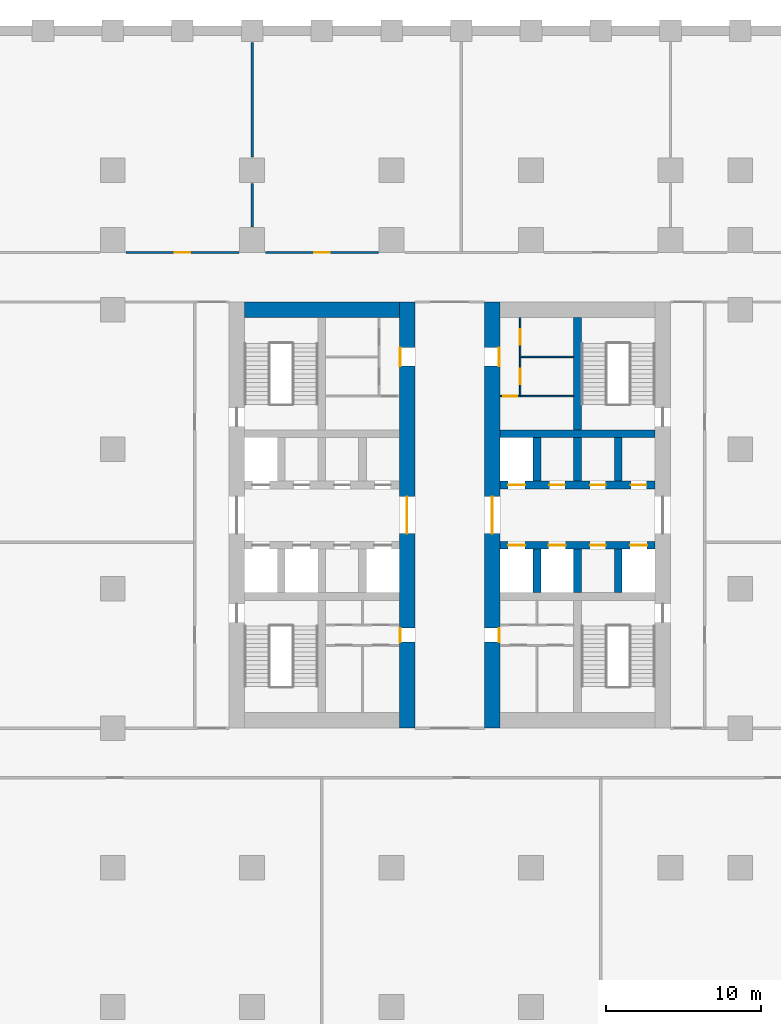
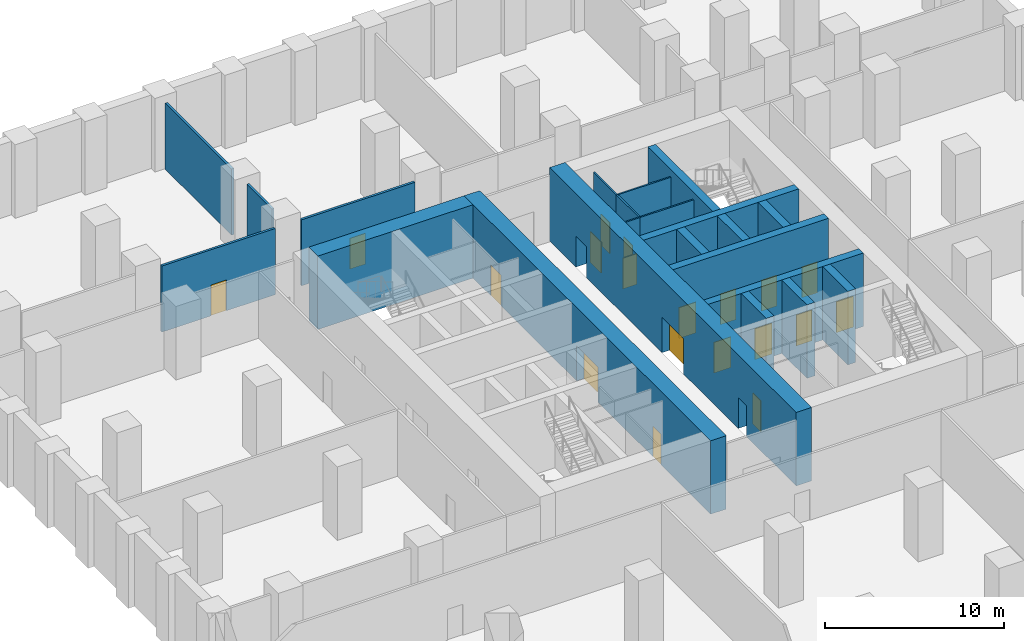
# One storey, part 4 of 7: 22 walls, 19 doors, 19 openings.
"""IFC4 building model written with IfcOpenShell, lengths in metres."""

from ifc_helpers import new_model, si_unit, direction, frame, frame_2d, origin, place, context, subcontext, project, spatial, rectangle, extrude, material, layer, layer_set, type_object, element, fill, save


model = new_model("IFC4")

# Units and contexts
model_context = context("Model", 3, precision=1e-05, world=origin(), true_north=direction((0.0, 1.0)))
body_context = subcontext(model_context, "Body", "Model", "MODEL_VIEW")
ifc_project = project(units=[si_unit("LENGTHUNIT", "METRE"), si_unit("AREAUNIT", "SQUARE_METRE"), si_unit("VOLUMEUNIT", "CUBIC_METRE"), si_unit("PLANEANGLEUNIT", "RADIAN"), si_unit("MASSUNIT", "GRAM", prefix="KILO")], contexts=[model_context])

# Site, building, storey
site_placement = place(None, origin())
site = spatial("IfcSite", under=ifc_project, at=site_placement, CompositionType="ELEMENT")
building_placement = place(site_placement, origin())
building = spatial("IfcBuilding", under=site, at=building_placement, Name="Corbel Stack Research Tower", CompositionType="ELEMENT")
storey_placement = place(building_placement, frame((0.0, 0.0, -5.0)))
storey = spatial("IfcBuildingStorey", under=building, at=storey_placement, Name="B1", CompositionType="ELEMENT", Elevation=-5.0)

# Wall, opening, door
ifc_material_1 = material(Name="Concrete block", Category="concrete")
ifc_layer_1 = layer(ifc_material_1, 0.14990234375)
ifc_layer_set_1 = layer_set([ifc_layer_1], Name="Concrete block")
wall_type_1 = type_object("IfcWallType", Name="Base partition 150 B1", PredefinedType="PARTITIONING", material=ifc_layer_set_1)
wall_1_placement = place(storey_placement, frame((-17.14990234375, 21.699951171875, 0.0), z_axis=(0.0, 0.0, 1.0), x_axis=(1.0, 0.0, 0.0)))
wall_1 = element("IfcWall", 1, at=wall_1_placement, inside=storey, type_object=wall_type_1, Name="Partition B1", PredefinedType="PARTITIONING", context=body_context, shape_type="SweptSolid", body=[
    extrude(rectangle(XDim=7.2998046875, YDim=0.14990234375, at=frame_2d((3.64990234375, 0.0))), origin(), (0.0, 0.0, 1.0), 4.5),
])
opening_1_placement = place(wall_1_placement, frame((3.14990234375, 0.0, 0.0)))
opening_1 = element("IfcOpeningElement", 2, at=opening_1_placement, cuts=wall_1, Name="Opening BD-B1-08", PredefinedType="OPENING", context=body_context, shape_type="SweptSolid", body=[
    extrude(rectangle(XDim=1.0, YDim=2.10009765625, at=frame_2d((0.5, 1.050048828125))), frame((0.0, 0.0849609375, 0.0), z_axis=(0.0, -1.0, 0.0), x_axis=(1.0, 0.0, 0.0)), (0.0, 0.0, 1.0), 0.169921875),
])
ifc_material_2 = material(Name="Painted steel door", Category="steel")
door_type_1 = type_object("IfcDoorType", Name="Service door 1000 x 2100 FD60 right hand", OperationType="SINGLE_SWING_RIGHT", PredefinedType="DOOR", material=ifc_material_2)
door_1_placement = place(opening_1_placement, origin())
door_1 = element("IfcDoor", 3, at=door_1_placement, inside=storey, type_object=door_type_1, Name="Workshop door", OperationType="SINGLE_SWING_RIGHT", OverallHeight=2.10009765625, OverallWidth=1.0, PredefinedType="DOOR", context=body_context, shape_type="SweptSolid", body=[
    extrude(rectangle(XDim=1.0, YDim=2.10009765625, at=frame_2d((0.5, 1.050048828125))), frame((0.0, 0.02490234375, 0.0), z_axis=(0.0, -1.0, 0.0), x_axis=(1.0, 0.0, 0.0)), (0.0, 0.0, 1.0), 0.050048828125),
])
fill(opening_1, door_1)

wall_2_placement = place(storey_placement, frame((-8.14990234375, 21.699951171875, 0.0), z_axis=(0.0, 0.0, 1.0), x_axis=(1.0, 0.0, 0.0)))
wall_2 = element("IfcWall", 4, at=wall_2_placement, inside=storey, type_object=wall_type_1, Name="Partition B1", PredefinedType="PARTITIONING", context=body_context, shape_type="SweptSolid", body=[
    extrude(rectangle(XDim=7.2998046875, YDim=0.14990234375, at=frame_2d((3.64990234375, 0.0))), origin(), (0.0, 0.0, 1.0), 4.5),
])
opening_2_placement = place(wall_2_placement, frame((3.14990234375, 0.0, 0.0)))
opening_2 = element("IfcOpeningElement", 5, at=opening_2_placement, cuts=wall_2, Name="Opening BD-B1-09", PredefinedType="OPENING", context=body_context, shape_type="SweptSolid", body=[
    extrude(rectangle(XDim=1.0, YDim=2.10009765625, at=frame_2d((0.5, 1.050048828125))), frame((0.0, 0.0849609375, 0.0), z_axis=(0.0, -1.0, 0.0), x_axis=(1.0, 0.0, 0.0)), (0.0, 0.0, 1.0), 0.169921875),
])
ifc_material_3 = material(Name="Painted steel door", Category="steel")
door_type_2 = type_object("IfcDoorType", Name="Service door 1000 x 2100 FD60 left hand", OperationType="SINGLE_SWING_LEFT", PredefinedType="DOOR", material=ifc_material_3)
door_2_placement = place(opening_2_placement, origin())
door_2 = element("IfcDoor", 6, at=door_2_placement, inside=storey, type_object=door_type_2, Name="Chemical waste and recycling store door", OperationType="SINGLE_SWING_LEFT", OverallHeight=2.10009765625, OverallWidth=1.0, PredefinedType="DOOR", context=body_context, shape_type="SweptSolid", body=[
    extrude(rectangle(XDim=1.0, YDim=2.10009765625, at=frame_2d((0.5, 1.050048828125))), frame((0.0, 0.02490234375, 0.0), z_axis=(0.0, -1.0, 0.0), x_axis=(1.0, 0.0, 0.0)), (0.0, 0.0, 1.0), 0.050048828125),
])
fill(opening_2, door_2)

# Walls
wall_3_placement = place(storey_placement, frame((-9.0, 23.35009765625, 0.0), z_axis=(0.0, 0.0, 1.0), x_axis=(0.0, 1.0, 0.0)))
element("IfcWall", 7, at=wall_3_placement, inside=storey, type_object=wall_type_1, Name="Partition B1", PredefinedType="PARTITIONING", context=body_context, shape_type="SweptSolid", body=[
    extrude(rectangle(XDim=2.7998046875, YDim=0.14990234375, at=frame_2d((1.39990234375, 0.0))), origin(), (0.0, 0.0, 1.0), 4.5),
])
wall_4_placement = place(storey_placement, frame((-9.0, 27.85009765625, 0.0), z_axis=(0.0, 0.0, 1.0), x_axis=(0.0, 1.0, 0.0)))
element("IfcWall", 8, at=wall_4_placement, inside=storey, type_object=wall_type_1, Name="Partition B1", PredefinedType="PARTITIONING", context=body_context, shape_type="SweptSolid", body=[
    extrude(rectangle(XDim=7.39990234375, YDim=0.14990234375, at=frame_2d((3.699951171875, 0.0))), origin(), (0.0, 0.0, 1.0), 4.5),
])

# Wall, openings, doors
ifc_material_4 = material(Name="Concrete C70/85", Category="concrete")
ifc_layer_2 = layer(ifc_material_4, 1.0)
ifc_layer_set_2 = layer_set([ifc_layer_2], Name="Concrete C70/85")
wall_type_2 = type_object("IfcWallType", Name="CW-1000-70", PredefinedType="SHEAR", material=ifc_layer_set_2)
wall_5_placement = place(storey_placement, frame((1.0, -9.0, 0.0), z_axis=(0.0, 0.0, 1.0), x_axis=(0.0, 1.0, 0.0)))
wall_5 = element("IfcWall", 9, at=wall_5_placement, inside=storey, type_object=wall_type_2, Name="West core wall, east face B1", PredefinedType="SHEAR", context=body_context, shape_type="SweptSolid", body=[
    extrude(rectangle(XDim=27.5, YDim=1.0, at=frame_2d((13.75, 0.0))), origin(), (0.0, 0.0, 1.0), 5.0),
])
opening_3_placement = place(wall_5_placement, frame((12.550048828125, 0.0, 0.0)))
opening_3 = element("IfcOpeningElement", 10, at=opening_3_placement, cuts=wall_5, Name="Opening CD-W-E", PredefinedType="OPENING", context=body_context, shape_type="SweptSolid", body=[
    extrude(rectangle(XDim=2.39990234375, YDim=2.39990234375, at=frame_2d((1.199951171875, 1.199951171875))), frame((0.0, 0.510009765625, 0.0), z_axis=(0.0, -1.0, 0.0), x_axis=(1.0, 0.0, 0.0)), (0.0, 0.0, 1.0), 1.02001953125),
])
opening_4_placement = place(wall_5_placement, frame((5.550048828125, 0.0, 0.0)))
opening_4 = element("IfcOpeningElement", 11, at=opening_4_placement, cuts=wall_5, Name="Opening CR-W54-W1-905", PredefinedType="OPENING", context=body_context, shape_type="SweptSolid", body=[
    extrude(rectangle(XDim=0.905029296875, YDim=2.10009765625, at=frame_2d((0.45263671875, 1.050048828125))), frame((0.0, 0.510009765625, 0.0), z_axis=(0.0, -1.0, 0.0), x_axis=(1.0, 0.0, 0.0)), (0.0, 0.0, 1.0), 1.02001953125),
])
opening_5_placement = place(wall_5_placement, frame((23.362548828125, 0.0, 0.0)))
opening_5 = element("IfcOpeningElement", 12, at=opening_5_placement, cuts=wall_5, Name="Opening CR-W54-R2-1200", PredefinedType="OPENING", context=body_context, shape_type="SweptSolid", body=[
    extrude(rectangle(XDim=1.199951171875, YDim=2.10009765625, at=frame_2d((0.60009765625, 1.050048828125))), frame((0.0, 0.510009765625, 0.0), z_axis=(0.0, -1.0, 0.0), x_axis=(1.0, 0.0, 0.0)), (0.0, 0.0, 1.0), 1.02001953125),
])
ifc_material_5 = material(Name="Painted steel fire door", Category="steel")
door_type_3 = type_object("IfcDoorType", Name="Lobby door pair 2400 x 2400 FD30S", OperationType="DOUBLE_DOOR_DOUBLE_SWING", PredefinedType="DOOR", material=ifc_material_5)
door_3_placement = place(opening_3_placement, origin())
door_3 = element("IfcDoor", 13, at=door_3_placement, inside=storey, type_object=door_type_3, Name="Lift lobby door W core E", OperationType="DOUBLE_DOOR_DOUBLE_SWING", OverallHeight=2.39990234375, OverallWidth=2.39990234375, PredefinedType="DOOR", context=body_context, shape_type="SweptSolid", body=[
    extrude(rectangle(XDim=2.39990234375, YDim=2.39990234375, at=frame_2d((1.199951171875, 1.199951171875))), frame((0.0, 0.02490234375, 0.0), z_axis=(0.0, -1.0, 0.0), x_axis=(1.0, 0.0, 0.0)), (0.0, 0.0, 1.0), 0.050048828125),
])
fill(opening_3, door_3)
ifc_material_6 = material(Name="Painted steel door", Category="steel")
door_type_4 = type_object("IfcDoorType", Name="Service door 1200 x 2100 FD30 right hand", OperationType="SINGLE_SWING_RIGHT", PredefinedType="DOOR", material=ifc_material_6)
door_4_placement = place(opening_5_placement, origin())
door_4 = element("IfcDoor", 14, at=door_4_placement, inside=storey, type_object=door_type_4, Name="Service passage door W core", OperationType="SINGLE_SWING_RIGHT", OverallHeight=2.10009765625, OverallWidth=1.199951171875, PredefinedType="DOOR", context=body_context, shape_type="SweptSolid", body=[
    extrude(rectangle(XDim=1.199951171875, YDim=2.10009765625, at=frame_2d((0.60009765625, 1.050048828125))), frame((0.0, 0.47509765625, 0.0), z_axis=(0.0, -1.0, 0.0), x_axis=(1.0, 0.0, 0.0)), (0.0, 0.0, 1.0), 0.050048828125),
])
fill(opening_5, door_4)
ifc_material_7 = material(Name="Painted timber door", Category="wood")
door_type_5 = type_object("IfcDoorType", Name="WC door 905 x 2100 left hand", OperationType="SINGLE_SWING_LEFT", PredefinedType="DOOR", material=ifc_material_7)
door_5_placement = place(opening_4_placement, origin())
door_5 = element("IfcDoor", 15, at=door_5_placement, inside=storey, type_object=door_type_5, Name="WC lobby door W core", OperationType="SINGLE_SWING_LEFT", OverallHeight=2.10009765625, OverallWidth=0.905029296875, PredefinedType="DOOR", context=body_context, shape_type="SweptSolid", body=[
    extrude(rectangle(XDim=0.905029296875, YDim=2.10009765625, at=frame_2d((0.45263671875, 1.050048828125))), frame((0.0, 0.47509765625, 0.0), z_axis=(0.0, -1.0, 0.0), x_axis=(1.0, 0.0, 0.0)), (0.0, 0.0, 1.0), 0.050048828125),
])
fill(opening_4, door_5)

# Wall
wall_6_placement = place(storey_placement, frame((-9.5, 18.0, 0.0), z_axis=(0.0, 0.0, 1.0), x_axis=(1.0, 0.0, 0.0)))
element("IfcWall", 16, at=wall_6_placement, inside=storey, type_object=wall_type_2, Name="West core wall, north end B1", PredefinedType="SHEAR", context=body_context, shape_type="SweptSolid", body=[
    extrude(rectangle(XDim=10.0, YDim=1.0, at=frame_2d((5.0, 0.0))), origin(), (0.0, 0.0, 1.0), 5.0),
])

# Wall, openings, doors
wall_7_placement = place(storey_placement, frame((6.5, -9.0, 0.0), z_axis=(0.0, 0.0, 1.0), x_axis=(0.0, 1.0, 0.0)))
wall_7 = element("IfcWall", 17, at=wall_7_placement, inside=storey, type_object=wall_type_2, Name="East core wall, west face B1", PredefinedType="SHEAR", context=body_context, shape_type="SweptSolid", body=[
    extrude(rectangle(XDim=27.5, YDim=1.0, at=frame_2d((13.75, 0.0))), origin(), (0.0, 0.0, 1.0), 5.0),
])
opening_6_placement = place(wall_7_placement, frame((12.550048828125, 0.0, 0.0)))
opening_6 = element("IfcOpeningElement", 18, at=opening_6_placement, cuts=wall_7, Name="Opening CD-E-W", PredefinedType="OPENING", context=body_context, shape_type="SweptSolid", body=[
    extrude(rectangle(XDim=2.39990234375, YDim=2.39990234375, at=frame_2d((1.199951171875, 1.199951171875))), frame((0.0, 0.510009765625, 0.0), z_axis=(0.0, -1.0, 0.0), x_axis=(1.0, 0.0, 0.0)), (0.0, 0.0, 1.0), 1.02001953125),
])
opening_7_placement = place(wall_7_placement, frame((5.550048828125, 0.0, 0.0)))
opening_7 = element("IfcOpeningElement", 19, at=opening_7_placement, cuts=wall_7, Name="Opening CR-E54-W1-905", PredefinedType="OPENING", context=body_context, shape_type="SweptSolid", body=[
    extrude(rectangle(XDim=0.905029296875, YDim=2.10009765625, at=frame_2d((0.45263671875, 1.050048828125))), frame((0.0, 0.510009765625, 0.0), z_axis=(0.0, -1.0, 0.0), x_axis=(1.0, 0.0, 0.0)), (0.0, 0.0, 1.0), 1.02001953125),
])
opening_8_placement = place(wall_7_placement, frame((23.362548828125, 0.0, 0.0)))
opening_8 = element("IfcOpeningElement", 20, at=opening_8_placement, cuts=wall_7, Name="Opening CR-E54-R2-1200", PredefinedType="OPENING", context=body_context, shape_type="SweptSolid", body=[
    extrude(rectangle(XDim=1.199951171875, YDim=2.10009765625, at=frame_2d((0.60009765625, 1.050048828125))), frame((0.0, 0.510009765625, 0.0), z_axis=(0.0, -1.0, 0.0), x_axis=(1.0, 0.0, 0.0)), (0.0, 0.0, 1.0), 1.02001953125),
])
door_6_placement = place(opening_6_placement, origin())
door_6 = element("IfcDoor", 21, at=door_6_placement, inside=storey, type_object=door_type_3, Name="Lift lobby door E core W", OperationType="DOUBLE_DOOR_DOUBLE_SWING", OverallHeight=2.39990234375, OverallWidth=2.39990234375, PredefinedType="DOOR", context=body_context, shape_type="SweptSolid", body=[
    extrude(rectangle(XDim=2.39990234375, YDim=2.39990234375, at=frame_2d((1.199951171875, 1.199951171875))), frame((0.0, 0.02490234375, 0.0), z_axis=(0.0, -1.0, 0.0), x_axis=(1.0, 0.0, 0.0)), (0.0, 0.0, 1.0), 0.050048828125),
])
fill(opening_6, door_6)
ifc_material_8 = material(Name="Painted steel door", Category="steel")
door_type_6 = type_object("IfcDoorType", Name="Service door 1200 x 2100 FD30 left hand", OperationType="SINGLE_SWING_LEFT", PredefinedType="DOOR", material=ifc_material_8)
door_7_placement = place(opening_8_placement, origin())
door_7 = element("IfcDoor", 22, at=door_7_placement, inside=storey, type_object=door_type_6, Name="Service passage door E core", OperationType="SINGLE_SWING_LEFT", OverallHeight=2.10009765625, OverallWidth=1.199951171875, PredefinedType="DOOR", context=body_context, shape_type="SweptSolid", body=[
    extrude(rectangle(XDim=1.199951171875, YDim=2.10009765625, at=frame_2d((0.60009765625, 1.050048828125))), frame((0.0, -0.4248046875, 0.0), z_axis=(0.0, -1.0, 0.0), x_axis=(1.0, 0.0, 0.0)), (0.0, 0.0, 1.0), 0.050048828125),
])
fill(opening_8, door_7)
ifc_material_9 = material(Name="Painted timber door", Category="wood")
door_type_7 = type_object("IfcDoorType", Name="WC door 905 x 2100 right hand", OperationType="SINGLE_SWING_RIGHT", PredefinedType="DOOR", material=ifc_material_9)
door_8_placement = place(opening_7_placement, origin())
door_8 = element("IfcDoor", 23, at=door_8_placement, inside=storey, type_object=door_type_7, Name="WC lobby door E core", OperationType="SINGLE_SWING_RIGHT", OverallHeight=2.10009765625, OverallWidth=0.905029296875, PredefinedType="DOOR", context=body_context, shape_type="SweptSolid", body=[
    extrude(rectangle(XDim=0.905029296875, YDim=2.10009765625, at=frame_2d((0.45263671875, 1.050048828125))), frame((0.0, -0.4248046875, 0.0), z_axis=(0.0, -1.0, 0.0), x_axis=(1.0, 0.0, 0.0)), (0.0, 0.0, 1.0), 0.050048828125),
])
fill(opening_7, door_8)

ifc_material_10 = material(Name="Concrete C70/85", Category="concrete")
ifc_layer_3 = layer(ifc_material_10, 0.5)
ifc_layer_set_3 = layer_set([ifc_layer_3], Name="Concrete C70/85")
wall_type_3 = type_object("IfcWallType", Name="CW-500-70", PredefinedType="SHEAR", material=ifc_layer_set_3)
wall_8_placement = place(storey_placement, frame((7.0, 2.800048828125, 0.0), z_axis=(0.0, 0.0, 1.0), x_axis=(1.0, 0.0, 0.0)))
wall_8 = element("IfcWall", 24, at=wall_8_placement, inside=storey, type_object=wall_type_3, Name="East core wall, lobby south B1", PredefinedType="SHEAR", context=body_context, shape_type="SweptSolid", body=[
    extrude(rectangle(XDim=10.0, YDim=0.5, at=frame_2d((5.0, 0.0))), origin(), (0.0, 0.0, 1.0), 5.0),
])
opening_9_placement = place(wall_8_placement, frame((0.512451171875, 0.0, 0.0)))
opening_9 = element("IfcOpeningElement", 25, at=opening_9_placement, cuts=wall_8, Name="Opening LD-FS2", PredefinedType="OPENING", context=body_context, shape_type="SweptSolid", body=[
    extrude(rectangle(XDim=1.10009765625, YDim=2.10009765625, at=frame_2d((0.550048828125, 1.050048828125))), frame((0.0, 0.260009765625, 0.0), z_axis=(0.0, -1.0, 0.0), x_axis=(1.0, 0.0, 0.0)), (0.0, 0.0, 1.0), 0.52001953125),
])
opening_10_placement = place(wall_8_placement, frame((3.137451171875, 0.0, 0.0)))
opening_10 = element("IfcOpeningElement", 26, at=opening_10_placement, cuts=wall_8, Name="Opening LD-GL2", PredefinedType="OPENING", context=body_context, shape_type="SweptSolid", body=[
    extrude(rectangle(XDim=1.10009765625, YDim=2.10009765625, at=frame_2d((0.550048828125, 1.050048828125))), frame((0.0, 0.260009765625, 0.0), z_axis=(0.0, -1.0, 0.0), x_axis=(1.0, 0.0, 0.0)), (0.0, 0.0, 1.0), 0.52001953125),
])
opening_11_placement = place(wall_8_placement, frame((8.387451171875, 0.0, 0.0)))
opening_11 = element("IfcOpeningElement", 27, at=opening_11_placement, cuts=wall_8, Name="Opening LD-LR3", PredefinedType="OPENING", context=body_context, shape_type="SweptSolid", body=[
    extrude(rectangle(XDim=1.10009765625, YDim=2.10009765625, at=frame_2d((0.550048828125, 1.050048828125))), frame((0.0, 0.260009765625, 0.0), z_axis=(0.0, -1.0, 0.0), x_axis=(1.0, 0.0, 0.0)), (0.0, 0.0, 1.0), 0.52001953125),
])
opening_12_placement = place(wall_8_placement, frame((5.8125, 0.0, 0.0)))
opening_12 = element("IfcOpeningElement", 28, at=opening_12_placement, cuts=wall_8, Name="Opening CR-E54-S3", PredefinedType="OPENING", context=body_context, shape_type="SweptSolid", body=[
    extrude(rectangle(XDim=1.0, YDim=2.10009765625, at=frame_2d((0.5, 1.050048828125))), frame((0.0, 0.260009765625, 0.0), z_axis=(0.0, -1.0, 0.0), x_axis=(1.0, 0.0, 0.0)), (0.0, 0.0, 1.0), 0.52001953125),
])
ifc_material_11 = material(Name="Stainless steel landing door", Category="steel")
door_type_8 = type_object("IfcDoorType", Name="Lift landing door 1100 x 2100", OperationType="DOUBLE_DOOR_SLIDING", PredefinedType="DOOR", material=ifc_material_11)
door_9_placement = place(opening_9_placement, origin())
door_9 = element("IfcDoor", 29, at=door_9_placement, inside=storey, type_object=door_type_8, Name="Landing door FS2", OperationType="DOUBLE_DOOR_SLIDING", OverallHeight=2.10009765625, OverallWidth=1.10009765625, PredefinedType="DOOR", context=body_context, shape_type="SweptSolid", body=[
    extrude(rectangle(XDim=1.10009765625, YDim=2.10009765625, at=frame_2d((0.550048828125, 1.050048828125))), frame((0.0, 0.02490234375, 0.0), z_axis=(0.0, -1.0, 0.0), x_axis=(1.0, 0.0, 0.0)), (0.0, 0.0, 1.0), 0.050048828125),
])
fill(opening_9, door_9)
door_10_placement = place(opening_10_placement, origin())
door_10 = element("IfcDoor", 30, at=door_10_placement, inside=storey, type_object=door_type_8, Name="Landing door GL2", OperationType="DOUBLE_DOOR_SLIDING", OverallHeight=2.10009765625, OverallWidth=1.10009765625, PredefinedType="DOOR", context=body_context, shape_type="SweptSolid", body=[
    extrude(rectangle(XDim=1.10009765625, YDim=2.10009765625, at=frame_2d((0.550048828125, 1.050048828125))), frame((0.0, 0.02490234375, 0.0), z_axis=(0.0, -1.0, 0.0), x_axis=(1.0, 0.0, 0.0)), (0.0, 0.0, 1.0), 0.050048828125),
])
fill(opening_10, door_10)
door_11_placement = place(opening_11_placement, origin())
door_11 = element("IfcDoor", 31, at=door_11_placement, inside=storey, type_object=door_type_8, Name="Landing door LR3", OperationType="DOUBLE_DOOR_SLIDING", OverallHeight=2.10009765625, OverallWidth=1.10009765625, PredefinedType="DOOR", context=body_context, shape_type="SweptSolid", body=[
    extrude(rectangle(XDim=1.10009765625, YDim=2.10009765625, at=frame_2d((0.550048828125, 1.050048828125))), frame((0.0, 0.02490234375, 0.0), z_axis=(0.0, -1.0, 0.0), x_axis=(1.0, 0.0, 0.0)), (0.0, 0.0, 1.0), 0.050048828125),
])
fill(opening_11, door_11)
door_12_placement = place(opening_12_placement, origin())
door_12 = element("IfcDoor", 32, at=door_12_placement, inside=storey, type_object=door_type_2, Name="Chemical waste store door E core", OperationType="SINGLE_SWING_LEFT", OverallHeight=2.10009765625, OverallWidth=1.0, PredefinedType="DOOR", context=body_context, shape_type="SweptSolid", body=[
    extrude(rectangle(XDim=1.0, YDim=2.10009765625, at=frame_2d((0.5, 1.050048828125))), frame((0.0, 0.02490234375, 0.0), z_axis=(0.0, -1.0, 0.0), x_axis=(1.0, 0.0, 0.0)), (0.0, 0.0, 1.0), 0.050048828125),
])
fill(opening_12, door_12)

wall_9_placement = place(storey_placement, frame((7.0, 6.699951171875, 0.0), z_axis=(0.0, 0.0, 1.0), x_axis=(1.0, 0.0, 0.0)))
wall_9 = element("IfcWall", 33, at=wall_9_placement, inside=storey, type_object=wall_type_3, Name="East core wall, lobby north B1", PredefinedType="SHEAR", context=body_context, shape_type="SweptSolid", body=[
    extrude(rectangle(XDim=10.0, YDim=0.5, at=frame_2d((5.0, 0.0))), origin(), (0.0, 0.0, 1.0), 5.0),
])
opening_13_placement = place(wall_9_placement, frame((0.512451171875, 0.0, 0.0)))
opening_13 = element("IfcOpeningElement", 34, at=opening_13_placement, cuts=wall_9, Name="Opening LD-LR4", PredefinedType="OPENING", context=body_context, shape_type="SweptSolid", body=[
    extrude(rectangle(XDim=1.10009765625, YDim=2.10009765625, at=frame_2d((0.550048828125, 1.050048828125))), frame((0.0, 0.260009765625, 0.0), z_axis=(0.0, -1.0, 0.0), x_axis=(1.0, 0.0, 0.0)), (0.0, 0.0, 1.0), 0.52001953125),
])
opening_14_placement = place(wall_9_placement, frame((3.1875, 0.0, 0.0)))
opening_14 = element("IfcOpeningElement", 35, at=opening_14_placement, cuts=wall_9, Name="Opening CR-E54-N2", PredefinedType="OPENING", context=body_context, shape_type="SweptSolid", body=[
    extrude(rectangle(XDim=1.0, YDim=2.10009765625, at=frame_2d((0.5, 1.050048828125))), frame((0.0, 0.260009765625, 0.0), z_axis=(0.0, -1.0, 0.0), x_axis=(1.0, 0.0, 0.0)), (0.0, 0.0, 1.0), 0.52001953125),
])
opening_15_placement = place(wall_9_placement, frame((5.8125, 0.0, 0.0)))
opening_15 = element("IfcOpeningElement", 36, at=opening_15_placement, cuts=wall_9, Name="Opening CR-E54-N3", PredefinedType="OPENING", context=body_context, shape_type="SweptSolid", body=[
    extrude(rectangle(XDim=1.0, YDim=2.10009765625, at=frame_2d((0.5, 1.050048828125))), frame((0.0, 0.260009765625, 0.0), z_axis=(0.0, -1.0, 0.0), x_axis=(1.0, 0.0, 0.0)), (0.0, 0.0, 1.0), 0.52001953125),
])
opening_16_placement = place(wall_9_placement, frame((8.4375, 0.0, 0.0)))
opening_16 = element("IfcOpeningElement", 37, at=opening_16_placement, cuts=wall_9, Name="Opening CR-E54-N4", PredefinedType="OPENING", context=body_context, shape_type="SweptSolid", body=[
    extrude(rectangle(XDim=1.0, YDim=2.10009765625, at=frame_2d((0.5, 1.050048828125))), frame((0.0, 0.260009765625, 0.0), z_axis=(0.0, -1.0, 0.0), x_axis=(1.0, 0.0, 0.0)), (0.0, 0.0, 1.0), 0.52001953125),
])
door_13_placement = place(opening_13_placement, origin())
door_13 = element("IfcDoor", 38, at=door_13_placement, inside=storey, type_object=door_type_8, Name="Landing door LR4", OperationType="DOUBLE_DOOR_SLIDING", OverallHeight=2.10009765625, OverallWidth=1.10009765625, PredefinedType="DOOR", context=body_context, shape_type="SweptSolid", body=[
    extrude(rectangle(XDim=1.10009765625, YDim=2.10009765625, at=frame_2d((0.550048828125, 1.050048828125))), frame((0.0, 0.02490234375, 0.0), z_axis=(0.0, -1.0, 0.0), x_axis=(1.0, 0.0, 0.0)), (0.0, 0.0, 1.0), 0.050048828125),
])
fill(opening_13, door_13)
door_14_placement = place(opening_15_placement, origin())
door_14 = element("IfcDoor", 39, at=door_14_placement, inside=storey, type_object=door_type_2, Name="Compressor room door E core", OperationType="SINGLE_SWING_LEFT", OverallHeight=2.10009765625, OverallWidth=1.0, PredefinedType="DOOR", context=body_context, shape_type="SweptSolid", body=[
    extrude(rectangle(XDim=1.0, YDim=2.10009765625, at=frame_2d((0.5, 1.050048828125))), frame((0.0, 0.02490234375, 0.0), z_axis=(0.0, -1.0, 0.0), x_axis=(1.0, 0.0, 0.0)), (0.0, 0.0, 1.0), 0.050048828125),
])
fill(opening_15, door_14)
door_15_placement = place(opening_14_placement, origin())
door_15 = element("IfcDoor", 40, at=door_15_placement, inside=storey, type_object=door_type_1, Name="Electrical switch room door E core", OperationType="SINGLE_SWING_RIGHT", OverallHeight=2.10009765625, OverallWidth=1.0, PredefinedType="DOOR", context=body_context, shape_type="SweptSolid", body=[
    extrude(rectangle(XDim=1.0, YDim=2.10009765625, at=frame_2d((0.5, 1.050048828125))), frame((0.0, 0.02490234375, 0.0), z_axis=(0.0, -1.0, 0.0), x_axis=(1.0, 0.0, 0.0)), (0.0, 0.0, 1.0), 0.050048828125),
])
fill(opening_14, door_15)
door_16_placement = place(opening_16_placement, origin())
door_16 = element("IfcDoor", 41, at=door_16_placement, inside=storey, type_object=door_type_1, Name="Chemical waste store door E core", OperationType="SINGLE_SWING_RIGHT", OverallHeight=2.10009765625, OverallWidth=1.0, PredefinedType="DOOR", context=body_context, shape_type="SweptSolid", body=[
    extrude(rectangle(XDim=1.0, YDim=2.10009765625, at=frame_2d((0.5, 1.050048828125))), frame((0.0, 0.02490234375, 0.0), z_axis=(0.0, -1.0, 0.0), x_axis=(1.0, 0.0, 0.0)), (0.0, 0.0, 1.0), 0.050048828125),
])
fill(opening_16, door_16)

# Walls
wall_10_placement = place(storey_placement, frame((7.0, 10.0, 0.0), z_axis=(0.0, 0.0, 1.0), x_axis=(1.0, 0.0, 0.0)))
element("IfcWall", 42, at=wall_10_placement, inside=storey, type_object=wall_type_3, Name="East core wall, north row back B1", PredefinedType="SHEAR", context=body_context, shape_type="SweptSolid", body=[
    extrude(rectangle(XDim=10.0, YDim=0.5, at=frame_2d((5.0, 0.0))), origin(), (0.0, 0.0, 1.0), 5.0),
])
for number, where, z_axis, x_axis, name in (
    (43, (9.375, -0.25, 0.0), (0.0, 0.0, 1.0), (0.0, 1.0, 0.0), "East core wall, south shaft 1 B1"),
    (44, (9.375, 6.949951171875, 0.0), (0.0, 0.0, 1.0), (0.0, 1.0, 0.0), "East core wall, north shaft 1 B1"),
    (45, (12.0, -0.25, 0.0), (0.0, 0.0, 1.0), (0.0, 1.0, 0.0), "East core wall, south shaft 2 B1"),
    (46, (12.0, 6.949951171875, 0.0), (0.0, 0.0, 1.0), (0.0, 1.0, 0.0), "East core wall, north shaft 2 B1"),
    (47, (14.625, -0.25, 0.0), (0.0, 0.0, 1.0), (0.0, 1.0, 0.0), "East core wall, south shaft 3 B1"),
    (48, (14.625, 6.949951171875, 0.0), (0.0, 0.0, 1.0), (0.0, 1.0, 0.0), "East core wall, north shaft 3 B1"),
):
    element("IfcWall", number, at=place(storey_placement, frame(where, z_axis=z_axis, x_axis=x_axis)), inside=storey, type_object=wall_type_3, Name=name, PredefinedType="SHEAR", context=body_context, shape_type="SweptSolid", body=[
        extrude(rectangle(XDim=2.800048828125, YDim=0.5, at=frame_2d((1.39990234375, 0.0))), origin(), (0.0, 0.0, 1.0), 5.0),
    ])
wall_11_placement = place(storey_placement, frame((12.0, 10.25, 0.0), z_axis=(0.0, 0.0, 1.0), x_axis=(0.0, 1.0, 0.0)))
element("IfcWall", 49, at=wall_11_placement, inside=storey, type_object=wall_type_3, Name="East core wall, north stair and riser B1", PredefinedType="SHEAR", context=body_context, shape_type="SweptSolid", body=[
    extrude(rectangle(XDim=7.25, YDim=0.5, at=frame_2d((3.625, 0.0))), origin(), (0.0, 0.0, 1.0), 5.0),
])

# Wall, opening, door
ifc_material_12 = material(Name="Gypsum board")
ifc_layer_4 = layer(ifc_material_12, 0.10009765625)
ifc_layer_set_4 = layer_set([ifc_layer_4], Name="Gypsum board")
wall_type_4 = type_object("IfcWallType", Name="Core partition 100", PredefinedType="PARTITIONING", material=ifc_layer_set_4)
wall_12_placement = place(storey_placement, frame((7.0, 12.425048828125, 0.0), z_axis=(0.0, 0.0, 1.0), x_axis=(1.0, 0.0, 0.0)))
wall_12 = element("IfcWall", 50, at=wall_12_placement, inside=storey, type_object=wall_type_4, Name="Core partition E", PredefinedType="PARTITIONING", context=body_context, shape_type="SweptSolid", body=[
    extrude(rectangle(XDim=1.300048828125, YDim=0.10009765625, at=frame_2d((0.64990234375, 0.0))), origin(), (0.0, 0.0, 1.0), 4.5),
])
opening_17_placement = place(wall_12_placement, frame((0.199951171875, 0.0, 0.0)))
opening_17 = element("IfcOpeningElement", 51, at=opening_17_placement, cuts=wall_12, Name="Opening CR-E54-R1-900", PredefinedType="OPENING", context=body_context, shape_type="SweptSolid", body=[
    extrude(rectangle(XDim=0.89990234375, YDim=2.10009765625, at=frame_2d((0.449951171875, 1.050048828125))), frame((0.0, 0.06005859375, 0.0), z_axis=(0.0, -1.0, 0.0), x_axis=(1.0, 0.0, 0.0)), (0.0, 0.0, 1.0), 0.1201171875),
])
ifc_material_13 = material(Name="Painted steel door", Category="steel")
door_type_9 = type_object("IfcDoorType", Name="Riser door 900 x 2100 FD60 right hand", OperationType="SINGLE_SWING_RIGHT", PredefinedType="DOOR", material=ifc_material_13)
door_17_placement = place(opening_17_placement, origin())
door_17 = element("IfcDoor", 52, at=door_17_placement, inside=storey, type_object=door_type_9, Name="Electrical riser door E core", OperationType="SINGLE_SWING_RIGHT", OverallHeight=2.10009765625, OverallWidth=0.89990234375, PredefinedType="DOOR", context=body_context, shape_type="SweptSolid", body=[
    extrude(rectangle(XDim=0.89990234375, YDim=2.10009765625, at=frame_2d((0.449951171875, 1.050048828125))), frame((0.0, 0.02490234375, 0.0), z_axis=(0.0, -1.0, 0.0), x_axis=(1.0, 0.0, 0.0)), (0.0, 0.0, 1.0), 0.050048828125),
])
fill(opening_17, door_17)

# Wall
wall_13_placement = place(storey_placement, frame((8.300048828125, 12.425048828125, 0.0), z_axis=(0.0, 0.0, 1.0), x_axis=(1.0, 0.0, 0.0)))
element("IfcWall", 53, at=wall_13_placement, inside=storey, type_object=wall_type_4, Name="Core partition E", PredefinedType="PARTITIONING", context=body_context, shape_type="SweptSolid", body=[
    extrude(rectangle(XDim=3.449951171875, YDim=0.10009765625, at=frame_2d((1.72509765625, 0.0))), origin(), (0.0, 0.0, 1.0), 4.5),
])

# Wall, opening, door
wall_14_placement = place(storey_placement, frame((8.300048828125, 12.425048828125, 0.0), z_axis=(0.0, 0.0, 1.0), x_axis=(0.0, 1.0, 0.0)))
wall_14 = element("IfcWall", 54, at=wall_14_placement, inside=storey, type_object=wall_type_4, Name="Core partition E", PredefinedType="PARTITIONING", context=body_context, shape_type="SweptSolid", body=[
    extrude(rectangle(XDim=2.537353515625, YDim=0.10009765625, at=frame_2d((1.2685546875, 0.0))), origin(), (0.0, 0.0, 1.0), 4.5),
])
opening_18_placement = place(wall_14_placement, frame((0.768798828125, 0.0, 0.0)))
opening_18 = element("IfcOpeningElement", 55, at=opening_18_placement, cuts=wall_14, Name="Opening CR-E54-R3-1000", PredefinedType="OPENING", context=body_context, shape_type="SweptSolid", body=[
    extrude(rectangle(XDim=1.0, YDim=2.10009765625, at=frame_2d((0.5, 1.050048828125))), frame((0.0, 0.06005859375, 0.0), z_axis=(0.0, -1.0, 0.0), x_axis=(1.0, 0.0, 0.0)), (0.0, 0.0, 1.0), 0.1201171875),
])
ifc_material_14 = material(Name="Painted steel door", Category="steel")
door_type_10 = type_object("IfcDoorType", Name="Service door 1000 x 2100 FD30 right hand", OperationType="SINGLE_SWING_RIGHT", PredefinedType="DOOR", material=ifc_material_14)
door_18_placement = place(opening_18_placement, origin())
door_18 = element("IfcDoor", 56, at=door_18_placement, inside=storey, type_object=door_type_10, Name="Pantry door E core", OperationType="SINGLE_SWING_RIGHT", OverallHeight=2.10009765625, OverallWidth=1.0, PredefinedType="DOOR", context=body_context, shape_type="SweptSolid", body=[
    extrude(rectangle(XDim=1.0, YDim=2.10009765625, at=frame_2d((0.5, 1.050048828125))), frame((0.0, 0.02490234375, 0.0), z_axis=(0.0, -1.0, 0.0), x_axis=(1.0, 0.0, 0.0)), (0.0, 0.0, 1.0), 0.050048828125),
])
fill(opening_18, door_18)

wall_15_placement = place(storey_placement, frame((8.300048828125, 14.96240234375, 0.0), z_axis=(0.0, 0.0, 1.0), x_axis=(0.0, 1.0, 0.0)))
wall_15 = element("IfcWall", 57, at=wall_15_placement, inside=storey, type_object=wall_type_4, Name="Core partition E", PredefinedType="PARTITIONING", context=body_context, shape_type="SweptSolid", body=[
    extrude(rectangle(XDim=2.53759765625, YDim=0.10009765625, at=frame_2d((1.268798828125, 0.0))), origin(), (0.0, 0.0, 1.0), 4.5),
])
opening_19_placement = place(wall_15_placement, frame((0.768798828125, 0.0, 0.0)))
opening_19 = element("IfcOpeningElement", 58, at=opening_19_placement, cuts=wall_15, Name="Opening CR-E54-R4-1000", PredefinedType="OPENING", context=body_context, shape_type="SweptSolid", body=[
    extrude(rectangle(XDim=1.0, YDim=2.10009765625, at=frame_2d((0.5, 1.050048828125))), frame((0.0, 0.06005859375, 0.0), z_axis=(0.0, -1.0, 0.0), x_axis=(1.0, 0.0, 0.0)), (0.0, 0.0, 1.0), 0.1201171875),
])
ifc_material_15 = material(Name="Painted steel door", Category="steel")
door_type_11 = type_object("IfcDoorType", Name="Service door 1000 x 2100 FD30 left hand", OperationType="SINGLE_SWING_LEFT", PredefinedType="DOOR", material=ifc_material_15)
door_19_placement = place(opening_19_placement, origin())
door_19 = element("IfcDoor", 59, at=door_19_placement, inside=storey, type_object=door_type_11, Name="Copy and supply store door E core", OperationType="SINGLE_SWING_LEFT", OverallHeight=2.10009765625, OverallWidth=1.0, PredefinedType="DOOR", context=body_context, shape_type="SweptSolid", body=[
    extrude(rectangle(XDim=1.0, YDim=2.10009765625, at=frame_2d((0.5, 1.050048828125))), frame((0.0, 0.02490234375, 0.0), z_axis=(0.0, -1.0, 0.0), x_axis=(1.0, 0.0, 0.0)), (0.0, 0.0, 1.0), 0.050048828125),
])
fill(opening_19, door_19)

# Wall
wall_16_placement = place(storey_placement, frame((8.300048828125, 14.96240234375, 0.0), z_axis=(0.0, 0.0, 1.0), x_axis=(1.0, 0.0, 0.0)))
element("IfcWall", 60, at=wall_16_placement, inside=storey, type_object=wall_type_4, Name="Core partition E", PredefinedType="PARTITIONING", context=body_context, shape_type="SweptSolid", body=[
    extrude(rectangle(XDim=3.449951171875, YDim=0.10009765625, at=frame_2d((1.72509765625, 0.0))), origin(), (0.0, 0.0, 1.0), 4.5),
])

save(model, "model.ifc")
